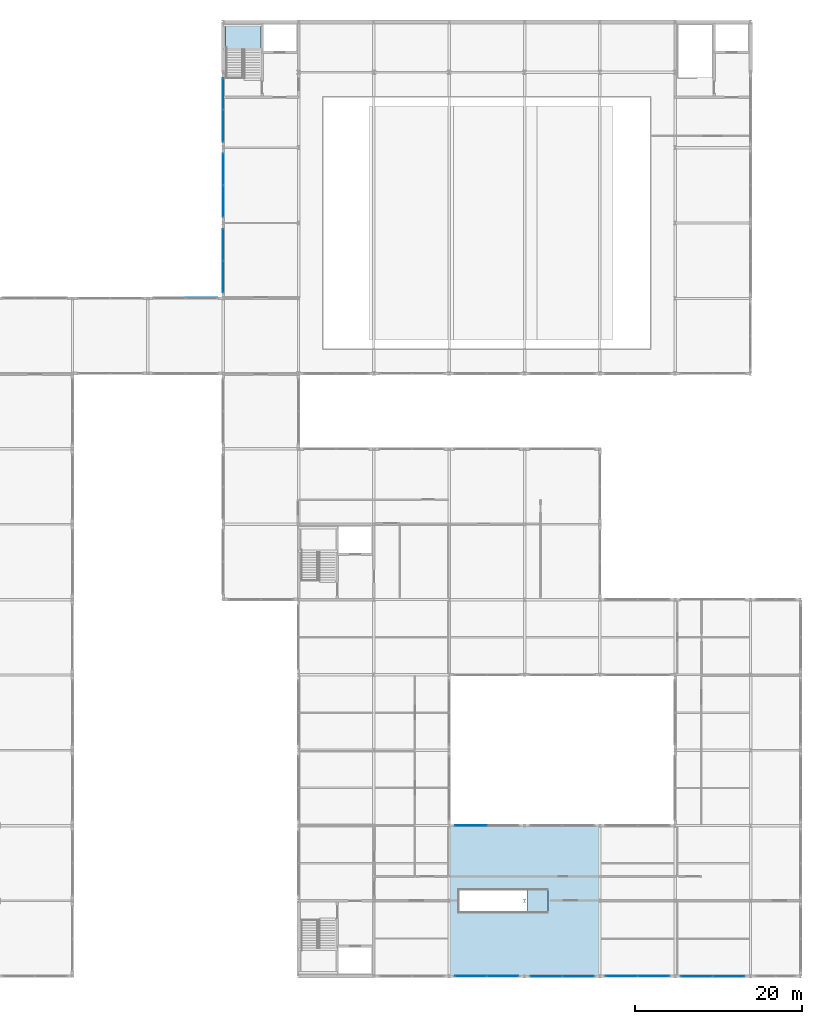
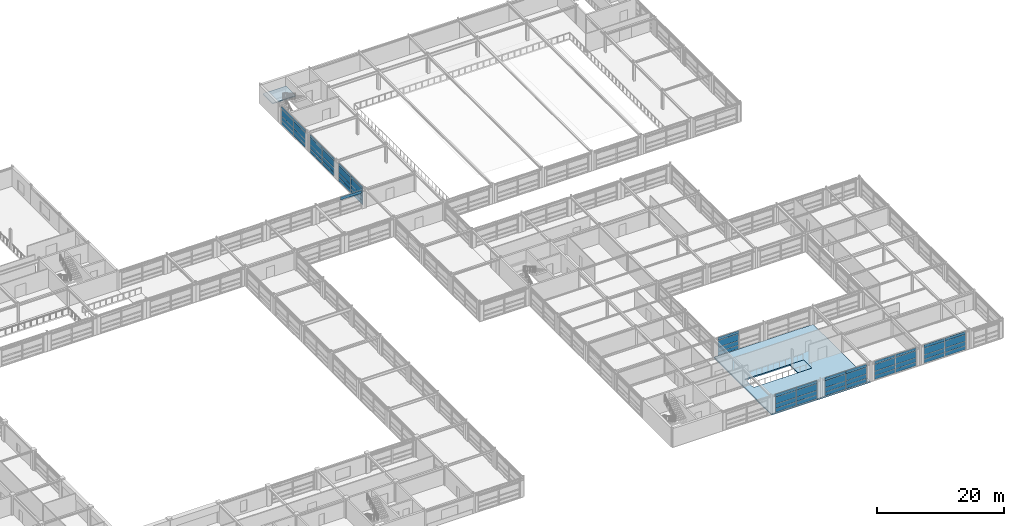
# One storey, part 57 of 79: 61 plates, 3 slabs, 9 elements without a shape of their own.
"""IFC4 building model written with IfcOpenShell, lengths in metres."""

from ifc_helpers import new_model, si_unit, direction, frame, origin, origin_2d, place, context, subcontext, project, spatial, polyline, rectangle, outline, extrude, material, layer, layer_set, type_object, element, aggregate, save


model = new_model("IFC4")

# Units and contexts
model_context = context("Model", 3, precision=1e-05, world=origin(), true_north=direction((0.0, 1.0)))
body_context = subcontext(model_context, "Body", "Model", "MODEL_VIEW")
ifc_project = project(units=[si_unit("LENGTHUNIT", "METRE"), si_unit("AREAUNIT", "SQUARE_METRE"), si_unit("VOLUMEUNIT", "CUBIC_METRE"), si_unit("PLANEANGLEUNIT", "RADIAN"), si_unit("MASSUNIT", "GRAM", prefix="KILO")], contexts=[model_context])

# Site, building, storey
site_placement = place(None, origin())
site = spatial("IfcSite", under=ifc_project, at=site_placement, CompositionType="ELEMENT")
building_placement = place(site_placement, origin())
building = spatial("IfcBuilding", under=site, at=building_placement, Name="Palais des Congres Ocreval", CompositionType="ELEMENT")
storey_placement = place(building_placement, frame((0.0, 0.0, 4.320068359375)))
storey = spatial("IfcBuildingStorey", under=building, at=storey_placement, Name="L01", CompositionType="ELEMENT", Elevation=4.320068359375)

# Curtain wall, plates
ifc_material_1 = material(Name="Anodized bronze aluminium and low-E glass", Category="glass")
curtain_wall_type = type_object("IfcCurtainWallType", Name="Unitised Curtain Wall 7900x3660", PredefinedType="USERDEFINED", material=ifc_material_1)
curtain_wall_1_placement = place(storey_placement, origin())
curtain_wall_1 = element("IfcCurtainWall", 1, at=curtain_wall_1_placement, inside=storey, type_object=curtain_wall_type, Name="Unitised Curtain Wall CW02 L01", ObjectType="UNITISED CURTAIN WALL", PredefinedType="USERDEFINED")
ifc_material_2 = material(Name="Acoustic triple glazing", Category="glass")
ifc_layer_1 = layer(ifc_material_2, 0.0439453125)
ifc_layer_set_1 = layer_set([ifc_layer_1], Name="Acoustic Laminated Glazing Panel 44 (Acoustic triple glazing)")
plate_type_1 = type_object("IfcPlateType", Name="Acoustic Laminated Glazing Panel 44", PredefinedType="CURTAIN_PANEL", material=ifc_layer_set_1)
plate_1_placement = place(storey_placement, frame((99.0, 83.59375, 0.06005859375), z_axis=(0.0, 0.0, 1.0), x_axis=(0.0, 1.0, 0.0)))
plate_1 = element("IfcPlate", 2, at=plate_1_placement, type_object=plate_type_1, Name="Vision Glazing Panel VP02", PredefinedType="CURTAIN_PANEL", context=body_context, shape_type="SweptSolid", body=[
    extrude(rectangle(XDim=3.737548828125, YDim=0.0439453125, at=origin_2d()), origin(), (0.0, 0.0, 1.0), 0.68994140625),
])
plate_2_placement = place(storey_placement, frame((99.0, 83.59375, 0.81005859375), z_axis=(0.0, 0.0, 1.0), x_axis=(0.0, 1.0, 0.0)))
plate_2 = element("IfcPlate", 3, at=plate_2_placement, type_object=plate_type_1, Name="Vision Glazing Panel VP02", PredefinedType="CURTAIN_PANEL", context=body_context, shape_type="SweptSolid", body=[
    extrude(rectangle(XDim=3.737548828125, YDim=0.0439453125, at=origin_2d()), origin(), (0.0, 0.0, 1.0), 0.782470703125),
])
plate_3_placement = place(storey_placement, frame((99.0, 83.59375, 1.65234375), z_axis=(0.0, 0.0, 1.0), x_axis=(0.0, 1.0, 0.0)))
plate_3 = element("IfcPlate", 4, at=plate_3_placement, type_object=plate_type_1, Name="Vision Glazing Panel VP02", PredefinedType="CURTAIN_PANEL", context=body_context, shape_type="SweptSolid", body=[
    extrude(rectangle(XDim=3.737548828125, YDim=0.0439453125, at=origin_2d()), origin(), (0.0, 0.0, 1.0), 1.267578125),
])
plate_4_placement = place(storey_placement, frame((99.0, 87.40625, 0.06005859375), z_axis=(0.0, 0.0, 1.0), x_axis=(0.0, 1.0, 0.0)))
plate_4 = element("IfcPlate", 5, at=plate_4_placement, type_object=plate_type_1, Name="Vision Glazing Panel VP02", PredefinedType="CURTAIN_PANEL", context=body_context, shape_type="SweptSolid", body=[
    extrude(rectangle(XDim=3.737548828125, YDim=0.0439453125, at=origin_2d()), origin(), (0.0, 0.0, 1.0), 0.68994140625),
])
plate_5_placement = place(storey_placement, frame((99.0, 87.40625, 0.81005859375), z_axis=(0.0, 0.0, 1.0), x_axis=(0.0, 1.0, 0.0)))
plate_5 = element("IfcPlate", 6, at=plate_5_placement, type_object=plate_type_1, Name="Vision Glazing Panel VP02", PredefinedType="CURTAIN_PANEL", context=body_context, shape_type="SweptSolid", body=[
    extrude(rectangle(XDim=3.737548828125, YDim=0.0439453125, at=origin_2d()), origin(), (0.0, 0.0, 1.0), 0.782470703125),
])
plate_6_placement = place(storey_placement, frame((99.0, 87.40625, 1.65234375), z_axis=(0.0, 0.0, 1.0), x_axis=(0.0, 1.0, 0.0)))
plate_6 = element("IfcPlate", 7, at=plate_6_placement, type_object=plate_type_1, Name="Vision Glazing Panel VP02", PredefinedType="CURTAIN_PANEL", context=body_context, shape_type="SweptSolid", body=[
    extrude(rectangle(XDim=3.737548828125, YDim=0.0439453125, at=origin_2d()), origin(), (0.0, 0.0, 1.0), 1.267578125),
])

curtain_wall_2_placement = place(storey_placement, origin())
curtain_wall_2 = element("IfcCurtainWall", 8, at=curtain_wall_2_placement, inside=storey, type_object=curtain_wall_type, Name="Unitised Curtain Wall CW02 L01", ObjectType="UNITISED CURTAIN WALL", PredefinedType="USERDEFINED")
plate_7_placement = place(storey_placement, frame((150.40625, 0.0, 0.06005859375), z_axis=(0.0, 0.0, 1.0), x_axis=(-1.0, 0.0, 0.0)))
plate_7 = element("IfcPlate", 9, at=plate_7_placement, type_object=plate_type_1, Name="Vision Glazing Panel VP02", PredefinedType="CURTAIN_PANEL", context=body_context, shape_type="SweptSolid", body=[
    extrude(rectangle(XDim=3.737548828125, YDim=0.0439453125, at=origin_2d()), origin(), (0.0, 0.0, 1.0), 0.68994140625),
])
plate_8_placement = place(storey_placement, frame((150.40625, 0.0, 0.81005859375), z_axis=(0.0, 0.0, 1.0), x_axis=(-1.0, 0.0, 0.0)))
plate_8 = element("IfcPlate", 10, at=plate_8_placement, type_object=plate_type_1, Name="Vision Glazing Panel VP02", PredefinedType="CURTAIN_PANEL", context=body_context, shape_type="SweptSolid", body=[
    extrude(rectangle(XDim=3.737548828125, YDim=0.0439453125, at=origin_2d()), origin(), (0.0, 0.0, 1.0), 0.782470703125),
])
plate_9_placement = place(storey_placement, frame((150.40625, 0.0, 1.65234375), z_axis=(0.0, 0.0, 1.0), x_axis=(-1.0, 0.0, 0.0)))
plate_9 = element("IfcPlate", 11, at=plate_9_placement, type_object=plate_type_1, Name="Vision Glazing Panel VP02", PredefinedType="CURTAIN_PANEL", context=body_context, shape_type="SweptSolid", body=[
    extrude(rectangle(XDim=3.737548828125, YDim=0.0439453125, at=origin_2d()), origin(), (0.0, 0.0, 1.0), 1.267578125),
])
plate_10_placement = place(storey_placement, frame((146.59375, 0.0, 0.06005859375), z_axis=(0.0, 0.0, 1.0), x_axis=(-1.0, 0.0, 0.0)))
plate_10 = element("IfcPlate", 12, at=plate_10_placement, type_object=plate_type_1, Name="Vision Glazing Panel VP02", PredefinedType="CURTAIN_PANEL", context=body_context, shape_type="SweptSolid", body=[
    extrude(rectangle(XDim=3.737548828125, YDim=0.0439453125, at=origin_2d()), origin(), (0.0, 0.0, 1.0), 0.68994140625),
])
plate_11_placement = place(storey_placement, frame((146.59375, 0.0, 0.81005859375), z_axis=(0.0, 0.0, 1.0), x_axis=(-1.0, 0.0, 0.0)))
plate_11 = element("IfcPlate", 13, at=plate_11_placement, type_object=plate_type_1, Name="Vision Glazing Panel VP02", PredefinedType="CURTAIN_PANEL", context=body_context, shape_type="SweptSolid", body=[
    extrude(rectangle(XDim=3.737548828125, YDim=0.0439453125, at=origin_2d()), origin(), (0.0, 0.0, 1.0), 0.782470703125),
])
plate_12_placement = place(storey_placement, frame((146.59375, 0.0, 1.65234375), z_axis=(0.0, 0.0, 1.0), x_axis=(-1.0, 0.0, 0.0)))
plate_12 = element("IfcPlate", 14, at=plate_12_placement, type_object=plate_type_1, Name="Vision Glazing Panel VP02", PredefinedType="CURTAIN_PANEL", context=body_context, shape_type="SweptSolid", body=[
    extrude(rectangle(XDim=3.737548828125, YDim=0.0439453125, at=origin_2d()), origin(), (0.0, 0.0, 1.0), 1.267578125),
])

# Plate
ifc_material_3 = material(Name="Anodized bronze aluminium", Category="aluminium")
ifc_layer_2 = layer(ifc_material_3, 0.06005859375)
ifc_layer_set_2 = layer_set([ifc_layer_2], Name="Anodized Bronze Spandrel Cassette 60 (Anodized bronze aluminium)")
plate_type_2 = type_object("IfcPlateType", Name="Anodized Bronze Spandrel Cassette 60", PredefinedType="SHEET", material=ifc_layer_set_2)
plate_13_placement = place(storey_placement, frame((99.0, 83.59375, 2.97998046875), z_axis=(0.0, 0.0, 1.0), x_axis=(0.0, 1.0, 0.0)))
plate_13 = element("IfcPlate", 15, at=plate_13_placement, type_object=plate_type_2, Name="Spandrel Sheet SPN1", PredefinedType="SHEET", context=body_context, shape_type="SweptSolid", body=[
    extrude(rectangle(XDim=3.737548828125, YDim=0.06005859375, at=origin_2d()), origin(), (0.0, 0.0, 1.0), 0.56005859375),
])

plate_14_placement = place(storey_placement, frame((99.0, 87.40625, 2.97998046875), z_axis=(0.0, 0.0, 1.0), x_axis=(0.0, 1.0, 0.0)))
plate_14 = element("IfcPlate", 16, at=plate_14_placement, type_object=plate_type_2, Name="Spandrel Sheet SPN1", PredefinedType="SHEET", context=body_context, shape_type="SweptSolid", body=[
    extrude(rectangle(XDim=3.737548828125, YDim=0.06005859375, at=origin_2d()), origin(), (0.0, 0.0, 1.0), 0.56005859375),
])

aggregate(curtain_wall_1, [plate_1, plate_2, plate_3, plate_13, plate_4, plate_5, plate_6, plate_14])

# Curtain wall, plates
curtain_wall_3_placement = place(storey_placement, origin())
curtain_wall_3 = element("IfcCurtainWall", 17, at=curtain_wall_3_placement, inside=storey, type_object=curtain_wall_type, Name="Unitised Curtain Wall CW02 L01", ObjectType="UNITISED CURTAIN WALL", PredefinedType="USERDEFINED")
plate_15_placement = place(storey_placement, frame((99.0, 101.59375, 2.97998046875), z_axis=(0.0, 0.0, 1.0), x_axis=(0.0, 1.0, 0.0)))
plate_15 = element("IfcPlate", 18, at=plate_15_placement, type_object=plate_type_2, Name="Spandrel Sheet SPN1", PredefinedType="SHEET", context=body_context, shape_type="SweptSolid", body=[
    extrude(rectangle(XDim=3.737548828125, YDim=0.06005859375, at=origin_2d()), origin(), (0.0, 0.0, 1.0), 0.56005859375),
])
plate_16_placement = place(storey_placement, frame((99.0, 105.40625, 2.97998046875), z_axis=(0.0, 0.0, 1.0), x_axis=(0.0, 1.0, 0.0)))
plate_16 = element("IfcPlate", 19, at=plate_16_placement, type_object=plate_type_2, Name="Spandrel Sheet SPN1", PredefinedType="SHEET", context=body_context, shape_type="SweptSolid", body=[
    extrude(rectangle(XDim=3.737548828125, YDim=0.06005859375, at=origin_2d()), origin(), (0.0, 0.0, 1.0), 0.56005859375),
])

# Plate
plate_17_placement = place(storey_placement, frame((150.40625, 0.0, 2.97998046875), z_axis=(0.0, 0.0, 1.0), x_axis=(-1.0, 0.0, 0.0)))
plate_17 = element("IfcPlate", 20, at=plate_17_placement, type_object=plate_type_2, Name="Spandrel Sheet SPN1", PredefinedType="SHEET", context=body_context, shape_type="SweptSolid", body=[
    extrude(rectangle(XDim=3.737548828125, YDim=0.06005859375, at=origin_2d()), origin(), (0.0, 0.0, 1.0), 0.56005859375),
])

plate_18_placement = place(storey_placement, frame((146.59375, 0.0, 2.97998046875), z_axis=(0.0, 0.0, 1.0), x_axis=(-1.0, 0.0, 0.0)))
plate_18 = element("IfcPlate", 21, at=plate_18_placement, type_object=plate_type_2, Name="Spandrel Sheet SPN1", PredefinedType="SHEET", context=body_context, shape_type="SweptSolid", body=[
    extrude(rectangle(XDim=3.737548828125, YDim=0.06005859375, at=origin_2d()), origin(), (0.0, 0.0, 1.0), 0.56005859375),
])

aggregate(curtain_wall_2, [plate_7, plate_8, plate_9, plate_17, plate_10, plate_11, plate_12, plate_18])

# Curtain wall, plates
curtain_wall_4_placement = place(storey_placement, origin())
curtain_wall_4 = element("IfcCurtainWall", 22, at=curtain_wall_4_placement, inside=storey, type_object=curtain_wall_type, Name="Unitised Curtain Wall CW02 L01", ObjectType="UNITISED CURTAIN WALL", PredefinedType="USERDEFINED")
plate_19_placement = place(storey_placement, frame((132.40625, 0.0, 2.97998046875), z_axis=(0.0, 0.0, 1.0), x_axis=(-1.0, 0.0, 0.0)))
plate_19 = element("IfcPlate", 23, at=plate_19_placement, type_object=plate_type_2, Name="Spandrel Sheet SPN1", PredefinedType="SHEET", context=body_context, shape_type="SweptSolid", body=[
    extrude(rectangle(XDim=3.737548828125, YDim=0.06005859375, at=origin_2d()), origin(), (0.0, 0.0, 1.0), 0.56005859375),
])
plate_20_placement = place(storey_placement, frame((128.59375, 0.0, 2.97998046875), z_axis=(0.0, 0.0, 1.0), x_axis=(-1.0, 0.0, 0.0)))
plate_20 = element("IfcPlate", 24, at=plate_20_placement, type_object=plate_type_2, Name="Spandrel Sheet SPN1", PredefinedType="SHEET", context=body_context, shape_type="SweptSolid", body=[
    extrude(rectangle(XDim=3.737548828125, YDim=0.06005859375, at=origin_2d()), origin(), (0.0, 0.0, 1.0), 0.56005859375),
])

# Curtain wall, plate
curtain_wall_5_placement = place(storey_placement, origin())
curtain_wall_5 = element("IfcCurtainWall", 25, at=curtain_wall_5_placement, inside=storey, type_object=curtain_wall_type, Name="Unitised Curtain Wall CW02 L01", ObjectType="UNITISED CURTAIN WALL", PredefinedType="USERDEFINED")
plate_21_placement = place(storey_placement, frame((128.59375, 18.0, 2.97998046875), z_axis=(0.0, 0.0, 1.0), x_axis=(1.0, 0.0, 0.0)))
plate_21 = element("IfcPlate", 26, at=plate_21_placement, type_object=plate_type_2, Name="Spandrel Sheet SPN1", PredefinedType="SHEET", context=body_context, shape_type="SweptSolid", body=[
    extrude(rectangle(XDim=3.737548828125, YDim=0.06005859375, at=origin_2d()), origin(), (0.0, 0.0, 1.0), 0.56005859375),
])

# Slab
ifc_material_4 = material(Name="Concrete C35/45", Category="concrete")
ifc_layer_3 = layer(ifc_material_4, 0.2548828125)
ifc_layer_set_3 = layer_set([ifc_layer_3], Name="Composite Floor Deck 255 Concrete C35/45")
slab_type_1 = type_object("IfcSlabType", Name="Composite Floor Deck 255 Concrete C35/45", PredefinedType="FLOOR", material=ifc_layer_set_3)
slab_1_placement = place(storey_placement, frame((0.0, 0.0, -0.255126953125)))
element("IfcSlab", 27, at=slab_1_placement, inside=storey, type_object=slab_type_1, Name="Floor Slab SL13 L01 V3-3", PredefinedType="FLOOR", context=body_context, shape_type="SweptSolid", body=[
    extrude(outline(polyline([(126.0, 0.0), (126.0, 18.0), (144.0, 18.0), (144.0, 0.0), (126.0, 0.0)]), holes=[polyline([(137.800048828125, 10.300048828125), (127.199951171875, 10.300048828125), (127.199951171875, 7.699951171875), (137.800048828125, 7.699951171875), (137.800048828125, 10.300048828125)])]), origin(), (0.0, 0.0, 1.0), 0.255126953125),
])

# Curtain wall, plates
curtain_wall_6_placement = place(storey_placement, origin())
curtain_wall_6 = element("IfcCurtainWall", 28, at=curtain_wall_6_placement, inside=storey, type_object=curtain_wall_type, Name="Unitised Curtain Wall CW02 L01", ObjectType="UNITISED CURTAIN WALL", PredefinedType="USERDEFINED")
ifc_material_5 = material(Name="Low-E solar-control double glazing", Category="glass")
ifc_layer_4 = layer(ifc_material_5, 0.031982421875)
ifc_layer_set_4 = layer_set([ifc_layer_4], Name="Galleria Clear Vision Panel 32 (Low-E solar-control double glazing)")
plate_type_3 = type_object("IfcPlateType", Name="Galleria Clear Vision Panel 32", PredefinedType="CURTAIN_PANEL", material=ifc_layer_set_4)
plate_22_placement = place(storey_placement, frame((99.0, 92.59375, 0.06005859375), z_axis=(0.0, 0.0, 1.0), x_axis=(0.0, 1.0, 0.0)))
plate_22 = element("IfcPlate", 29, at=plate_22_placement, type_object=plate_type_3, Name="Vision Glazing Panel VP03", PredefinedType="CURTAIN_PANEL", context=body_context, shape_type="SweptSolid", body=[
    extrude(rectangle(XDim=3.737548828125, YDim=0.031982421875, at=origin_2d()), origin(), (0.0, 0.0, 1.0), 0.68994140625),
])
plate_23_placement = place(storey_placement, frame((99.0, 92.59375, 0.81005859375), z_axis=(0.0, 0.0, 1.0), x_axis=(0.0, 1.0, 0.0)))
plate_23 = element("IfcPlate", 30, at=plate_23_placement, type_object=plate_type_3, Name="Vision Glazing Panel VP03", PredefinedType="CURTAIN_PANEL", context=body_context, shape_type="SweptSolid", body=[
    extrude(rectangle(XDim=3.737548828125, YDim=0.031982421875, at=origin_2d()), origin(), (0.0, 0.0, 1.0), 0.782470703125),
])
plate_24_placement = place(storey_placement, frame((99.0, 92.59375, 1.65234375), z_axis=(0.0, 0.0, 1.0), x_axis=(0.0, 1.0, 0.0)))
plate_24 = element("IfcPlate", 31, at=plate_24_placement, type_object=plate_type_3, Name="Vision Glazing Panel VP03", PredefinedType="CURTAIN_PANEL", context=body_context, shape_type="SweptSolid", body=[
    extrude(rectangle(XDim=3.737548828125, YDim=0.031982421875, at=origin_2d()), origin(), (0.0, 0.0, 1.0), 1.267578125),
])
plate_25_placement = place(storey_placement, frame((99.0, 96.40625, 0.06005859375), z_axis=(0.0, 0.0, 1.0), x_axis=(0.0, 1.0, 0.0)))
plate_25 = element("IfcPlate", 32, at=plate_25_placement, type_object=plate_type_3, Name="Vision Glazing Panel VP03", PredefinedType="CURTAIN_PANEL", context=body_context, shape_type="SweptSolid", body=[
    extrude(rectangle(XDim=3.737548828125, YDim=0.031982421875, at=origin_2d()), origin(), (0.0, 0.0, 1.0), 0.68994140625),
])
plate_26_placement = place(storey_placement, frame((99.0, 96.40625, 0.81005859375), z_axis=(0.0, 0.0, 1.0), x_axis=(0.0, 1.0, 0.0)))
plate_26 = element("IfcPlate", 33, at=plate_26_placement, type_object=plate_type_3, Name="Vision Glazing Panel VP03", PredefinedType="CURTAIN_PANEL", context=body_context, shape_type="SweptSolid", body=[
    extrude(rectangle(XDim=3.737548828125, YDim=0.031982421875, at=origin_2d()), origin(), (0.0, 0.0, 1.0), 0.782470703125),
])
plate_27_placement = place(storey_placement, frame((99.0, 96.40625, 1.65234375), z_axis=(0.0, 0.0, 1.0), x_axis=(0.0, 1.0, 0.0)))
plate_27 = element("IfcPlate", 34, at=plate_27_placement, type_object=plate_type_3, Name="Vision Glazing Panel VP03", PredefinedType="CURTAIN_PANEL", context=body_context, shape_type="SweptSolid", body=[
    extrude(rectangle(XDim=3.737548828125, YDim=0.031982421875, at=origin_2d()), origin(), (0.0, 0.0, 1.0), 1.267578125),
])

curtain_wall_7_placement = place(storey_placement, origin())
curtain_wall_7 = element("IfcCurtainWall", 35, at=curtain_wall_7_placement, inside=storey, type_object=curtain_wall_type, Name="Unitised Curtain Wall CW02 L01", ObjectType="UNITISED CURTAIN WALL", PredefinedType="USERDEFINED")
plate_28_placement = place(storey_placement, frame((141.40625, 0.0, 0.06005859375), z_axis=(0.0, 0.0, 1.0), x_axis=(-1.0, 0.0, 0.0)))
plate_28 = element("IfcPlate", 36, at=plate_28_placement, type_object=plate_type_3, Name="Vision Glazing Panel VP03", PredefinedType="CURTAIN_PANEL", context=body_context, shape_type="SweptSolid", body=[
    extrude(rectangle(XDim=3.737548828125, YDim=0.031982421875, at=origin_2d()), origin(), (0.0, 0.0, 1.0), 0.68994140625),
])
plate_29_placement = place(storey_placement, frame((141.40625, 0.0, 0.81005859375), z_axis=(0.0, 0.0, 1.0), x_axis=(-1.0, 0.0, 0.0)))
plate_29 = element("IfcPlate", 37, at=plate_29_placement, type_object=plate_type_3, Name="Vision Glazing Panel VP03", PredefinedType="CURTAIN_PANEL", context=body_context, shape_type="SweptSolid", body=[
    extrude(rectangle(XDim=3.737548828125, YDim=0.031982421875, at=origin_2d()), origin(), (0.0, 0.0, 1.0), 0.782470703125),
])
plate_30_placement = place(storey_placement, frame((141.40625, 0.0, 1.65234375), z_axis=(0.0, 0.0, 1.0), x_axis=(-1.0, 0.0, 0.0)))
plate_30 = element("IfcPlate", 38, at=plate_30_placement, type_object=plate_type_3, Name="Vision Glazing Panel VP03", PredefinedType="CURTAIN_PANEL", context=body_context, shape_type="SweptSolid", body=[
    extrude(rectangle(XDim=3.737548828125, YDim=0.031982421875, at=origin_2d()), origin(), (0.0, 0.0, 1.0), 1.267578125),
])
plate_31_placement = place(storey_placement, frame((137.59375, 0.0, 0.06005859375), z_axis=(0.0, 0.0, 1.0), x_axis=(-1.0, 0.0, 0.0)))
plate_31 = element("IfcPlate", 39, at=plate_31_placement, type_object=plate_type_3, Name="Vision Glazing Panel VP03", PredefinedType="CURTAIN_PANEL", context=body_context, shape_type="SweptSolid", body=[
    extrude(rectangle(XDim=3.737548828125, YDim=0.031982421875, at=origin_2d()), origin(), (0.0, 0.0, 1.0), 0.68994140625),
])
plate_32_placement = place(storey_placement, frame((137.59375, 0.0, 0.81005859375), z_axis=(0.0, 0.0, 1.0), x_axis=(-1.0, 0.0, 0.0)))
plate_32 = element("IfcPlate", 40, at=plate_32_placement, type_object=plate_type_3, Name="Vision Glazing Panel VP03", PredefinedType="CURTAIN_PANEL", context=body_context, shape_type="SweptSolid", body=[
    extrude(rectangle(XDim=3.737548828125, YDim=0.031982421875, at=origin_2d()), origin(), (0.0, 0.0, 1.0), 0.782470703125),
])
plate_33_placement = place(storey_placement, frame((137.59375, 0.0, 1.65234375), z_axis=(0.0, 0.0, 1.0), x_axis=(-1.0, 0.0, 0.0)))
plate_33 = element("IfcPlate", 41, at=plate_33_placement, type_object=plate_type_3, Name="Vision Glazing Panel VP03", PredefinedType="CURTAIN_PANEL", context=body_context, shape_type="SweptSolid", body=[
    extrude(rectangle(XDim=3.737548828125, YDim=0.031982421875, at=origin_2d()), origin(), (0.0, 0.0, 1.0), 1.267578125),
])

# Plate
plate_34_placement = place(storey_placement, frame((128.59375, 18.0, 0.06005859375), z_axis=(0.0, 0.0, 1.0), x_axis=(1.0, 0.0, 0.0)))
plate_34 = element("IfcPlate", 42, at=plate_34_placement, type_object=plate_type_3, Name="Vision Glazing Panel VP03", PredefinedType="CURTAIN_PANEL", context=body_context, shape_type="SweptSolid", body=[
    extrude(rectangle(XDim=3.737548828125, YDim=0.031982421875, at=origin_2d()), origin(), (0.0, 0.0, 1.0), 0.68994140625),
])

plate_35_placement = place(storey_placement, frame((128.59375, 18.0, 0.81005859375), z_axis=(0.0, 0.0, 1.0), x_axis=(1.0, 0.0, 0.0)))
plate_35 = element("IfcPlate", 43, at=plate_35_placement, type_object=plate_type_3, Name="Vision Glazing Panel VP03", PredefinedType="CURTAIN_PANEL", context=body_context, shape_type="SweptSolid", body=[
    extrude(rectangle(XDim=3.737548828125, YDim=0.031982421875, at=origin_2d()), origin(), (0.0, 0.0, 1.0), 0.782470703125),
])

plate_36_placement = place(storey_placement, frame((128.59375, 18.0, 1.65234375), z_axis=(0.0, 0.0, 1.0), x_axis=(1.0, 0.0, 0.0)))
plate_36 = element("IfcPlate", 44, at=plate_36_placement, type_object=plate_type_3, Name="Vision Glazing Panel VP03", PredefinedType="CURTAIN_PANEL", context=body_context, shape_type="SweptSolid", body=[
    extrude(rectangle(XDim=3.737548828125, YDim=0.031982421875, at=origin_2d()), origin(), (0.0, 0.0, 1.0), 1.267578125),
])

aggregate(curtain_wall_5, [plate_34, plate_35, plate_36, plate_21])

ifc_layer_5 = layer(ifc_material_5, 0.035888671875)
ifc_layer_set_5 = layer_set([ifc_layer_5], Name="Low-E Vision Glazing Panel 36 (Low-E solar-control double glazing)")
plate_type_4 = type_object("IfcPlateType", Name="Low-E Vision Glazing Panel 36", PredefinedType="CURTAIN_PANEL", material=ifc_layer_set_5)
plate_37_placement = place(storey_placement, frame((99.0, 101.59375, 0.06005859375), z_axis=(0.0, 0.0, 1.0), x_axis=(0.0, 1.0, 0.0)))
plate_37 = element("IfcPlate", 45, at=plate_37_placement, type_object=plate_type_4, Name="Vision Glazing Panel VP01", PredefinedType="CURTAIN_PANEL", context=body_context, shape_type="SweptSolid", body=[
    extrude(rectangle(XDim=3.737548828125, YDim=0.035888671875, at=origin_2d()), origin(), (0.0, 0.0, 1.0), 0.68994140625),
])

plate_38_placement = place(storey_placement, frame((99.0, 101.59375, 0.81005859375), z_axis=(0.0, 0.0, 1.0), x_axis=(0.0, 1.0, 0.0)))
plate_38 = element("IfcPlate", 46, at=plate_38_placement, type_object=plate_type_4, Name="Vision Glazing Panel VP01", PredefinedType="CURTAIN_PANEL", context=body_context, shape_type="SweptSolid", body=[
    extrude(rectangle(XDim=3.737548828125, YDim=0.035888671875, at=origin_2d()), origin(), (0.0, 0.0, 1.0), 0.782470703125),
])

plate_39_placement = place(storey_placement, frame((99.0, 101.59375, 1.65234375), z_axis=(0.0, 0.0, 1.0), x_axis=(0.0, 1.0, 0.0)))
plate_39 = element("IfcPlate", 47, at=plate_39_placement, type_object=plate_type_4, Name="Vision Glazing Panel VP01", PredefinedType="CURTAIN_PANEL", context=body_context, shape_type="SweptSolid", body=[
    extrude(rectangle(XDim=3.737548828125, YDim=0.035888671875, at=origin_2d()), origin(), (0.0, 0.0, 1.0), 1.267578125),
])

plate_40_placement = place(storey_placement, frame((99.0, 105.40625, 0.06005859375), z_axis=(0.0, 0.0, 1.0), x_axis=(0.0, 1.0, 0.0)))
plate_40 = element("IfcPlate", 48, at=plate_40_placement, type_object=plate_type_4, Name="Vision Glazing Panel VP01", PredefinedType="CURTAIN_PANEL", context=body_context, shape_type="SweptSolid", body=[
    extrude(rectangle(XDim=3.737548828125, YDim=0.035888671875, at=origin_2d()), origin(), (0.0, 0.0, 1.0), 0.68994140625),
])

plate_41_placement = place(storey_placement, frame((99.0, 105.40625, 0.81005859375), z_axis=(0.0, 0.0, 1.0), x_axis=(0.0, 1.0, 0.0)))
plate_41 = element("IfcPlate", 49, at=plate_41_placement, type_object=plate_type_4, Name="Vision Glazing Panel VP01", PredefinedType="CURTAIN_PANEL", context=body_context, shape_type="SweptSolid", body=[
    extrude(rectangle(XDim=3.737548828125, YDim=0.035888671875, at=origin_2d()), origin(), (0.0, 0.0, 1.0), 0.782470703125),
])

plate_42_placement = place(storey_placement, frame((99.0, 105.40625, 1.65234375), z_axis=(0.0, 0.0, 1.0), x_axis=(0.0, 1.0, 0.0)))
plate_42 = element("IfcPlate", 50, at=plate_42_placement, type_object=plate_type_4, Name="Vision Glazing Panel VP01", PredefinedType="CURTAIN_PANEL", context=body_context, shape_type="SweptSolid", body=[
    extrude(rectangle(XDim=3.737548828125, YDim=0.035888671875, at=origin_2d()), origin(), (0.0, 0.0, 1.0), 1.267578125),
])

aggregate(curtain_wall_3, [plate_37, plate_38, plate_39, plate_15, plate_40, plate_41, plate_42, plate_16])

# Curtain wall, plates
curtain_wall_8_placement = place(storey_placement, origin())
curtain_wall_8 = element("IfcCurtainWall", 51, at=curtain_wall_8_placement, inside=storey, type_object=curtain_wall_type, Name="Unitised Curtain Wall CW02 L01", ObjectType="UNITISED CURTAIN WALL", PredefinedType="USERDEFINED")
plate_43_placement = place(storey_placement, frame((159.40625, 0.0, 0.06005859375), z_axis=(0.0, 0.0, 1.0), x_axis=(-1.0, 0.0, 0.0)))
plate_43 = element("IfcPlate", 52, at=plate_43_placement, type_object=plate_type_4, Name="Vision Glazing Panel VP01", PredefinedType="CURTAIN_PANEL", context=body_context, shape_type="SweptSolid", body=[
    extrude(rectangle(XDim=3.737548828125, YDim=0.035888671875, at=origin_2d()), origin(), (0.0, 0.0, 1.0), 0.68994140625),
])
plate_44_placement = place(storey_placement, frame((159.40625, 0.0, 0.81005859375), z_axis=(0.0, 0.0, 1.0), x_axis=(-1.0, 0.0, 0.0)))
plate_44 = element("IfcPlate", 53, at=plate_44_placement, type_object=plate_type_4, Name="Vision Glazing Panel VP01", PredefinedType="CURTAIN_PANEL", context=body_context, shape_type="SweptSolid", body=[
    extrude(rectangle(XDim=3.737548828125, YDim=0.035888671875, at=origin_2d()), origin(), (0.0, 0.0, 1.0), 0.782470703125),
])
plate_45_placement = place(storey_placement, frame((159.40625, 0.0, 1.65234375), z_axis=(0.0, 0.0, 1.0), x_axis=(-1.0, 0.0, 0.0)))
plate_45 = element("IfcPlate", 54, at=plate_45_placement, type_object=plate_type_4, Name="Vision Glazing Panel VP01", PredefinedType="CURTAIN_PANEL", context=body_context, shape_type="SweptSolid", body=[
    extrude(rectangle(XDim=3.737548828125, YDim=0.035888671875, at=origin_2d()), origin(), (0.0, 0.0, 1.0), 1.267578125),
])
plate_46_placement = place(storey_placement, frame((155.59375, 0.0, 0.06005859375), z_axis=(0.0, 0.0, 1.0), x_axis=(-1.0, 0.0, 0.0)))
plate_46 = element("IfcPlate", 55, at=plate_46_placement, type_object=plate_type_4, Name="Vision Glazing Panel VP01", PredefinedType="CURTAIN_PANEL", context=body_context, shape_type="SweptSolid", body=[
    extrude(rectangle(XDim=3.737548828125, YDim=0.035888671875, at=origin_2d()), origin(), (0.0, 0.0, 1.0), 0.68994140625),
])
plate_47_placement = place(storey_placement, frame((155.59375, 0.0, 0.81005859375), z_axis=(0.0, 0.0, 1.0), x_axis=(-1.0, 0.0, 0.0)))
plate_47 = element("IfcPlate", 56, at=plate_47_placement, type_object=plate_type_4, Name="Vision Glazing Panel VP01", PredefinedType="CURTAIN_PANEL", context=body_context, shape_type="SweptSolid", body=[
    extrude(rectangle(XDim=3.737548828125, YDim=0.035888671875, at=origin_2d()), origin(), (0.0, 0.0, 1.0), 0.782470703125),
])
plate_48_placement = place(storey_placement, frame((155.59375, 0.0, 1.65234375), z_axis=(0.0, 0.0, 1.0), x_axis=(-1.0, 0.0, 0.0)))
plate_48 = element("IfcPlate", 57, at=plate_48_placement, type_object=plate_type_4, Name="Vision Glazing Panel VP01", PredefinedType="CURTAIN_PANEL", context=body_context, shape_type="SweptSolid", body=[
    extrude(rectangle(XDim=3.737548828125, YDim=0.035888671875, at=origin_2d()), origin(), (0.0, 0.0, 1.0), 1.267578125),
])

# Plate
plate_49_placement = place(storey_placement, frame((132.40625, 0.0, 0.06005859375), z_axis=(0.0, 0.0, 1.0), x_axis=(-1.0, 0.0, 0.0)))
plate_49 = element("IfcPlate", 58, at=plate_49_placement, type_object=plate_type_4, Name="Vision Glazing Panel VP01", PredefinedType="CURTAIN_PANEL", context=body_context, shape_type="SweptSolid", body=[
    extrude(rectangle(XDim=3.737548828125, YDim=0.035888671875, at=origin_2d()), origin(), (0.0, 0.0, 1.0), 0.68994140625),
])

plate_50_placement = place(storey_placement, frame((132.40625, 0.0, 0.81005859375), z_axis=(0.0, 0.0, 1.0), x_axis=(-1.0, 0.0, 0.0)))
plate_50 = element("IfcPlate", 59, at=plate_50_placement, type_object=plate_type_4, Name="Vision Glazing Panel VP01", PredefinedType="CURTAIN_PANEL", context=body_context, shape_type="SweptSolid", body=[
    extrude(rectangle(XDim=3.737548828125, YDim=0.035888671875, at=origin_2d()), origin(), (0.0, 0.0, 1.0), 0.782470703125),
])

plate_51_placement = place(storey_placement, frame((132.40625, 0.0, 1.65234375), z_axis=(0.0, 0.0, 1.0), x_axis=(-1.0, 0.0, 0.0)))
plate_51 = element("IfcPlate", 60, at=plate_51_placement, type_object=plate_type_4, Name="Vision Glazing Panel VP01", PredefinedType="CURTAIN_PANEL", context=body_context, shape_type="SweptSolid", body=[
    extrude(rectangle(XDim=3.737548828125, YDim=0.035888671875, at=origin_2d()), origin(), (0.0, 0.0, 1.0), 1.267578125),
])

plate_52_placement = place(storey_placement, frame((128.59375, 0.0, 0.06005859375), z_axis=(0.0, 0.0, 1.0), x_axis=(-1.0, 0.0, 0.0)))
plate_52 = element("IfcPlate", 61, at=plate_52_placement, type_object=plate_type_4, Name="Vision Glazing Panel VP01", PredefinedType="CURTAIN_PANEL", context=body_context, shape_type="SweptSolid", body=[
    extrude(rectangle(XDim=3.737548828125, YDim=0.035888671875, at=origin_2d()), origin(), (0.0, 0.0, 1.0), 0.68994140625),
])

plate_53_placement = place(storey_placement, frame((128.59375, 0.0, 0.81005859375), z_axis=(0.0, 0.0, 1.0), x_axis=(-1.0, 0.0, 0.0)))
plate_53 = element("IfcPlate", 62, at=plate_53_placement, type_object=plate_type_4, Name="Vision Glazing Panel VP01", PredefinedType="CURTAIN_PANEL", context=body_context, shape_type="SweptSolid", body=[
    extrude(rectangle(XDim=3.737548828125, YDim=0.035888671875, at=origin_2d()), origin(), (0.0, 0.0, 1.0), 0.782470703125),
])

plate_54_placement = place(storey_placement, frame((128.59375, 0.0, 1.65234375), z_axis=(0.0, 0.0, 1.0), x_axis=(-1.0, 0.0, 0.0)))
plate_54 = element("IfcPlate", 63, at=plate_54_placement, type_object=plate_type_4, Name="Vision Glazing Panel VP01", PredefinedType="CURTAIN_PANEL", context=body_context, shape_type="SweptSolid", body=[
    extrude(rectangle(XDim=3.737548828125, YDim=0.035888671875, at=origin_2d()), origin(), (0.0, 0.0, 1.0), 1.267578125),
])

aggregate(curtain_wall_4, [plate_49, plate_50, plate_51, plate_19, plate_52, plate_53, plate_54, plate_20])

# Slabs
ifc_material_6 = material(Name="Concrete C40/50", Category="concrete")
ifc_layer_6 = layer(ifc_material_6, 0.199951171875)
ifc_layer_set_6 = layer_set([ifc_layer_6], Name="Stair and Ramp Landing Slab 200 Concrete C40/50")
slab_type_2 = type_object("IfcSlabType", Name="Stair and Ramp Landing Slab 200 Concrete C40/50", PredefinedType="LANDING", material=ifc_layer_set_6)
slab_2_placement = place(storey_placement, frame((0.0, 0.0, 1.719970703125)))
element("IfcSlab", 64, at=slab_2_placement, inside=storey, type_object=slab_type_2, Name="Stair Half-Landing ST07 L01", PredefinedType="LANDING", context=body_context, shape_type="SweptSolid", body=[
    extrude(outline(polyline([(99.300048828125, 110.64990234375), (103.5, 110.64990234375), (103.5, 113.699951171875), (99.300048828125, 113.699951171875), (99.300048828125, 110.64990234375)])), origin(), (0.0, 0.0, 1.0), 0.199951171875),
])
slab_3_placement = place(storey_placement, frame((0.0, 0.0, -0.199951171875)))
element("IfcSlab", 65, at=slab_3_placement, inside=storey, type_object=slab_type_2, Name="Feature Stair Upper Landing ST12", PredefinedType="LANDING", context=body_context, shape_type="SweptSolid", body=[
    extrude(outline(polyline([(135.300048828125, 7.699951171875), (137.800048828125, 7.699951171875), (137.800048828125, 10.300048828125), (135.300048828125, 10.300048828125), (135.300048828125, 7.699951171875)])), origin(), (0.0, 0.0, 1.0), 0.199951171875),
])

# Curtain wall, plate
curtain_wall_9_placement = place(storey_placement, origin())
curtain_wall_9 = element("IfcCurtainWall", 66, at=curtain_wall_9_placement, inside=storey, type_object=curtain_wall_type, Name="Unitised Curtain Wall CW02 L01", ObjectType="UNITISED CURTAIN WALL", PredefinedType="USERDEFINED")
ifc_material_7 = material(Name="Terracotta ceramic spandrel", Category="masonry")
ifc_layer_7 = layer(ifc_material_7, 0.080078125)
ifc_layer_set_7 = layer_set([ifc_layer_7], Name="Terracotta Insulated Spandrel Sheet 80 (Terracotta ceramic spandrel)")
plate_type_5 = type_object("IfcPlateType", Name="Terracotta Insulated Spandrel Sheet 80", PredefinedType="SHEET", material=ifc_layer_set_7)
plate_55_placement = place(storey_placement, frame((96.40625, 81.0, 2.969970703125), z_axis=(0.0, 0.0, 1.0), x_axis=(1.0, 0.0, 0.0)))
plate_55 = element("IfcPlate", 67, at=plate_55_placement, type_object=plate_type_5, Name="Spandrel Sheet SPN2", PredefinedType="SHEET", context=body_context, shape_type="SweptSolid", body=[
    extrude(rectangle(XDim=3.737548828125, YDim=0.080078125, at=origin_2d()), origin(), (0.0, 0.0, 1.0), 0.56005859375),
])
aggregate(curtain_wall_9, [plate_55])

# Plate
plate_56_placement = place(storey_placement, frame((99.0, 92.59375, 2.97998046875), z_axis=(0.0, 0.0, 1.0), x_axis=(0.0, 1.0, 0.0)))
plate_56 = element("IfcPlate", 68, at=plate_56_placement, type_object=plate_type_5, Name="Spandrel Sheet SPN2", PredefinedType="SHEET", context=body_context, shape_type="SweptSolid", body=[
    extrude(rectangle(XDim=3.737548828125, YDim=0.080078125, at=origin_2d()), origin(), (0.0, 0.0, 1.0), 0.56005859375),
])

plate_57_placement = place(storey_placement, frame((99.0, 96.40625, 2.97998046875), z_axis=(0.0, 0.0, 1.0), x_axis=(0.0, 1.0, 0.0)))
plate_57 = element("IfcPlate", 69, at=plate_57_placement, type_object=plate_type_5, Name="Spandrel Sheet SPN2", PredefinedType="SHEET", context=body_context, shape_type="SweptSolid", body=[
    extrude(rectangle(XDim=3.737548828125, YDim=0.080078125, at=origin_2d()), origin(), (0.0, 0.0, 1.0), 0.56005859375),
])

aggregate(curtain_wall_6, [plate_22, plate_23, plate_24, plate_56, plate_25, plate_26, plate_27, plate_57])

plate_58_placement = place(storey_placement, frame((159.40625, 0.0, 2.97998046875), z_axis=(0.0, 0.0, 1.0), x_axis=(-1.0, 0.0, 0.0)))
plate_58 = element("IfcPlate", 70, at=plate_58_placement, type_object=plate_type_5, Name="Spandrel Sheet SPN2", PredefinedType="SHEET", context=body_context, shape_type="SweptSolid", body=[
    extrude(rectangle(XDim=3.737548828125, YDim=0.080078125, at=origin_2d()), origin(), (0.0, 0.0, 1.0), 0.56005859375),
])

plate_59_placement = place(storey_placement, frame((155.59375, 0.0, 2.97998046875), z_axis=(0.0, 0.0, 1.0), x_axis=(-1.0, 0.0, 0.0)))
plate_59 = element("IfcPlate", 71, at=plate_59_placement, type_object=plate_type_5, Name="Spandrel Sheet SPN2", PredefinedType="SHEET", context=body_context, shape_type="SweptSolid", body=[
    extrude(rectangle(XDim=3.737548828125, YDim=0.080078125, at=origin_2d()), origin(), (0.0, 0.0, 1.0), 0.56005859375),
])

aggregate(curtain_wall_8, [plate_43, plate_44, plate_45, plate_58, plate_46, plate_47, plate_48, plate_59])

plate_60_placement = place(storey_placement, frame((141.40625, 0.0, 2.97998046875), z_axis=(0.0, 0.0, 1.0), x_axis=(-1.0, 0.0, 0.0)))
plate_60 = element("IfcPlate", 72, at=plate_60_placement, type_object=plate_type_5, Name="Spandrel Sheet SPN2", PredefinedType="SHEET", context=body_context, shape_type="SweptSolid", body=[
    extrude(rectangle(XDim=3.737548828125, YDim=0.080078125, at=origin_2d()), origin(), (0.0, 0.0, 1.0), 0.56005859375),
])

plate_61_placement = place(storey_placement, frame((137.59375, 0.0, 2.97998046875), z_axis=(0.0, 0.0, 1.0), x_axis=(-1.0, 0.0, 0.0)))
plate_61 = element("IfcPlate", 73, at=plate_61_placement, type_object=plate_type_5, Name="Spandrel Sheet SPN2", PredefinedType="SHEET", context=body_context, shape_type="SweptSolid", body=[
    extrude(rectangle(XDim=3.737548828125, YDim=0.080078125, at=origin_2d()), origin(), (0.0, 0.0, 1.0), 0.56005859375),
])

aggregate(curtain_wall_7, [plate_28, plate_29, plate_30, plate_60, plate_31, plate_32, plate_33, plate_61])

save(model, "model.ifc")
